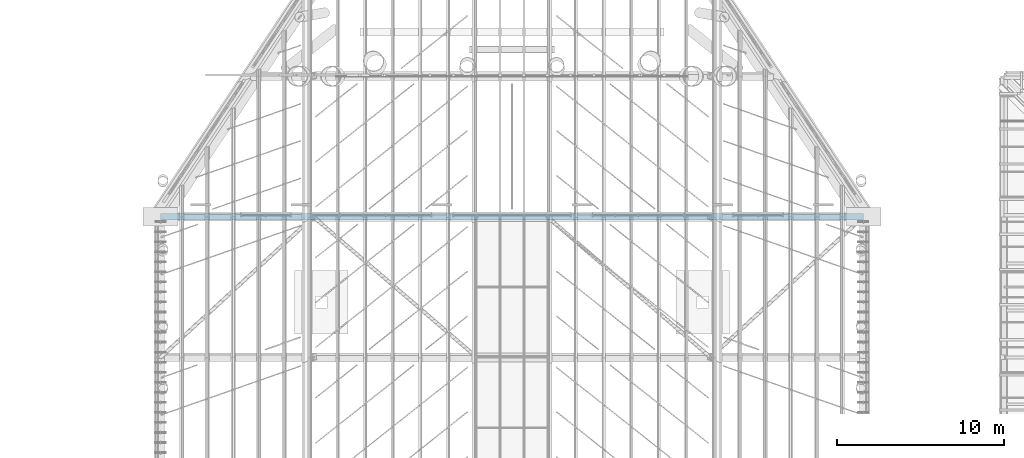
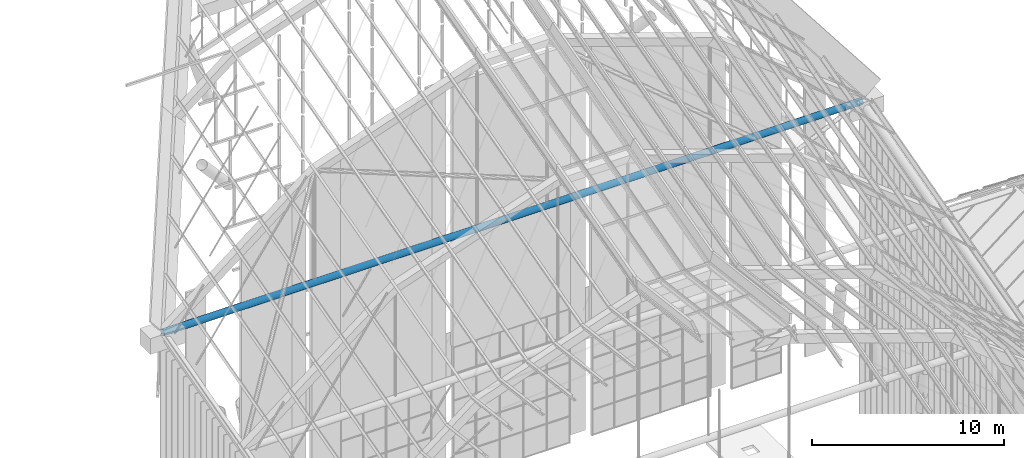
# One storey, part 58 of 126: 1 member.
"""IFC4 building model written with IfcOpenShell, lengths in metres."""

import ifcopenshell
import ifcopenshell.guid

model = None  # the IFC model being written
_history = None  # IfcOwnerHistory: only IFC2X3 demands one
_inside = {}  # id of a spatial element -> (the spatial element, [elements in it])
_under = {}  # id of a project, library or spatial element -> (it, [spatial elements below it])
_declared = {}  # id of a project -> (the project, [libraries it declares])
_typed = {}  # id of a type object -> (the type object, [elements of that type])
_made_of = {}  # id of a material, layer set ... -> (it, [elements and type objects made of it])


def new_model(schema):
    """Start an empty IFC model of exactly this schema.

    Asked for "IFC4X3", IfcOpenShell would pick the latest addendum, in which some entities
    have other attributes; the version numbers below select the first issue.
    IFC2X3 requires an IfcOwnerHistory on every rooted entity: one is made here for all.
    """
    global model, _history
    if schema == "IFC4X3":
        model = ifcopenshell.file(schema_version=(4, 3, 0, 0))
    else:
        model = ifcopenshell.file(schema=schema)
    _inside.clear()
    _under.clear()
    _declared.clear()
    _typed.clear()
    _made_of.clear()
    _history = None
    if model.schema == "IFC2X3":
        org = make("IfcOrganization", Name="unknown")
        user = make(
            "IfcPersonAndOrganization",
            ThePerson=make("IfcPerson", FamilyName="unknown"),
            TheOrganization=org,
        )
        app = make(
            "IfcApplication",
            ApplicationDeveloper=org,
            Version="unknown",
            ApplicationFullName="unknown",
            ApplicationIdentifier="unknown",
        )
        _history = make(
            "IfcOwnerHistory",
            OwningUser=user,
            OwningApplication=app,
            ChangeAction="ADDED",
            CreationDate=0,
        )
    return model


def make(cls, **values):
    """One entity of the class cls with the attributes given. An attribute that is None is left unset."""
    return model.create_entity(
        cls, **{name: value for name, value in values.items() if value is not None}
    )


def rooted(cls, **values):
    """An entity with a GlobalId (a new one), such as an element, a storey or a relation."""
    return make(cls, GlobalId=ifcopenshell.guid.new(), OwnerHistory=_history, **values)


def si_unit(unit_type, name, prefix=None):
    """IfcSIUnit, for example si_unit("LENGTHUNIT", "METRE", prefix="MILLI")."""
    return make("IfcSIUnit", UnitType=unit_type, Prefix=prefix, Name=name)


def assignment(units):
    """IfcUnitAssignment: the units of a project."""
    return None if units is None else make("IfcUnitAssignment", Units=units)


def point(xyz):
    """IfcCartesianPoint."""
    return None if xyz is None else make("IfcCartesianPoint", Coordinates=xyz)


def direction(xyz):
    """IfcDirection."""
    return None if xyz is None else make("IfcDirection", DirectionRatios=xyz)


def frame(location, z_axis=None, x_axis=None):
    """IfcAxis2Placement3D, a coordinate frame: its origin and axes. An axis left out is left unset."""
    return make(
        "IfcAxis2Placement3D",
        Location=point(location),
        Axis=direction(z_axis),
        RefDirection=direction(x_axis),
    )


def frame_2d(location, x_axis=None):
    """IfcAxis2Placement2D, a coordinate frame in the plane: its origin and x axis."""
    return make(
        "IfcAxis2Placement2D", Location=point(location), RefDirection=direction(x_axis)
    )


def origin():
    """The frame at (0, 0, 0) with its axes left unset."""
    return frame((0.0, 0.0, 0.0))


def origin_2d():
    """The frame at (0, 0) in the plane with its x axis left unset."""
    return frame_2d((0.0, 0.0))


def place(relative_to, where):
    """IfcLocalPlacement: puts the frame where relative to a parent placement (None: the world)."""
    return make(
        "IfcLocalPlacement", PlacementRelTo=relative_to, RelativePlacement=where
    )


def context(
    kind, dimensions, precision=None, world=None, true_north=None, identifier=None
):
    """IfcGeometricRepresentationContext, for example the 3D "Model" context."""
    return make(
        "IfcGeometricRepresentationContext",
        ContextIdentifier=identifier,
        ContextType=kind,
        CoordinateSpaceDimension=dimensions,
        Precision=precision,
        WorldCoordinateSystem=world,
        TrueNorth=true_north,
    )


def subcontext(parent, identifier, kind, view, scale=None):
    """IfcGeometricRepresentationSubContext, for example "Body" below "Model"."""
    return make(
        "IfcGeometricRepresentationSubContext",
        ContextIdentifier=identifier,
        ContextType=kind,
        ParentContext=parent,
        TargetScale=scale,
        TargetView=view,
    )


def project(units=None, contexts=None):
    """IfcProject with its units and contexts."""
    return rooted(
        "IfcProject",
        Name="project",
        RepresentationContexts=contexts,
        UnitsInContext=assignment(units),
    )


def spatial(cls, under=None, at=None, **own):
    """A site, building, storey or space (cls), placed at a placement, below another one or the project."""
    s = rooted(cls, ObjectPlacement=at, **own)
    if under is not None:
        _under.setdefault(under.id(), (under, []))[1].append(s)
    return s


def profile(cls, at=None, kind="AREA", **sizes):
    """A parametric profile (cls). Its sizes go by their IFC names, for example OverallWidth=200.0."""
    return make(cls, ProfileType=kind, Position=at, **sizes)


def hollow_circle(**sizes):
    """IfcCircleHollowProfileDef."""
    return profile("IfcCircleHollowProfileDef", **sizes)


def extrude(swept, where, along, depth):
    """IfcExtrudedAreaSolid: the profile swept, set in the frame where, extruded along a direction by depth."""
    return make(
        "IfcExtrudedAreaSolid",
        SweptArea=swept,
        Position=where,
        ExtrudedDirection=direction(along),
        Depth=depth,
    )


def shape(context_of_items, identifier, shape_type, items):
    """IfcShapeRepresentation: the items that make up one representation, for example the "Body"."""
    return make(
        "IfcShapeRepresentation",
        ContextOfItems=context_of_items,
        RepresentationIdentifier=identifier,
        RepresentationType=shape_type,
        Items=items,
    )


def material(Name=None, Category=None):
    """IfcMaterial."""
    return make("IfcMaterial", Name=Name, Category=Category)


def material_profile(
    of_material, cross_section, Name=None, Category=None, Priority=None
):
    """IfcMaterialProfile: a cross section and its material."""
    return make(
        "IfcMaterialProfile",
        Name=Name,
        Material=of_material,
        Profile=cross_section,
        Priority=Priority,
        Category=Category,
    )


def profile_set(profiles, Name=None, composite=None):
    """IfcMaterialProfileSet."""
    return make(
        "IfcMaterialProfileSet",
        Name=Name,
        MaterialProfiles=profiles,
        CompositeProfile=composite,
    )


def made_of(thing, what):
    """Note that an element or type object is made of a material, layer set ...; save() writes the relation."""
    if what is not None:
        _made_of.setdefault(what.id(), (what, []))[1].append(thing)
    return thing


def type_object(cls, material=None, **own):
    """A type object (cls), such as IfcWallType, which elements share."""
    return made_of(rooted(cls, **own), material)


def element(
    cls,
    number,
    at=None,
    inside=None,
    cuts=None,
    type_object=None,
    material=None,
    context=None,
    identifier="Body",
    shape_type=None,
    held_by="IfcProductDefinitionShape",
    body=None,
    shapes=None,
    **own,
):
    """One element of the class cls, such as IfcWall. Its Tag is "e" and its number.

    at: its placement. inside: the storey or other place that contains it. cuts: it is an
    opening in that element (IfcRelVoidsElement). A single representation is given by context,
    identifier, shape_type and body (its items); several are given by shapes. held_by: the class
    of the entity that holds the representations. save() writes the other relations.
    """
    e = rooted(cls, Tag="e%d" % number, ObjectPlacement=at, **own)
    if body is not None:
        shapes = [shape(context, identifier, shape_type, body)]
    if shapes is not None:
        e.Representation = make(held_by, Representations=shapes)
    if inside is not None:
        _inside.setdefault(inside.id(), (inside, []))[1].append(e)
    if cuts is not None:
        rooted(
            "IfcRelVoidsElement", RelatingBuildingElement=cuts, RelatedOpeningElement=e
        )
    if type_object is not None:
        _typed.setdefault(type_object.id(), (type_object, []))[1].append(e)
    return made_of(e, material)


def aggregate(whole, parts):
    """IfcRelAggregates: a whole, such as a stair, and the parts it consists of."""
    return rooted("IfcRelAggregates", RelatingObject=whole, RelatedObjects=parts)


def save(model, path):
    """Write the relations noted so far, then the file.

    IfcRelAggregates (storeys below a building ...), IfcRelContainedInSpatialStructure (elements
    in a storey), IfcRelDefinesByType, IfcRelAssociatesMaterial and IfcRelDeclares: one each for
    every whole, place, type object, material and project.
    """
    for whole, parts in _under.values():
        aggregate(whole, parts)
    for where, things in _inside.values():
        rooted(
            "IfcRelContainedInSpatialStructure",
            RelatedElements=things,
            RelatingStructure=where,
        )
    for kind, things in _typed.values():
        rooted("IfcRelDefinesByType", RelatedObjects=things, RelatingType=kind)
    for what, things in _made_of.values():
        rooted("IfcRelAssociatesMaterial", RelatedObjects=things, RelatingMaterial=what)
    for by, libraries in _declared.values():
        rooted("IfcRelDeclares", RelatingContext=by, RelatedDefinitions=libraries)
    model.write(path)


model = new_model("IFC4")

# Units and contexts
model_context = context("Model", 3, precision=1e-05, world=origin(), true_north=direction((0.0, 1.0)))
body_context = subcontext(model_context, "Body", "Model", "MODEL_VIEW")
ifc_project = project(units=[si_unit("LENGTHUNIT", "METRE"), si_unit("AREAUNIT", "SQUARE_METRE"), si_unit("VOLUMEUNIT", "CUBIC_METRE"), si_unit("PLANEANGLEUNIT", "RADIAN"), si_unit("MASSUNIT", "GRAM", prefix="KILO")], contexts=[model_context])

# Site, building, storey
site_placement = place(None, origin())
site = spatial("IfcSite", under=ifc_project, at=site_placement, CompositionType="ELEMENT")
building_placement = place(site_placement, origin())
building = spatial("IfcBuilding", under=site, at=building_placement, Name="Sava Quay Ferry Terminal", CompositionType="ELEMENT")
storey_placement = place(building_placement, frame((0.0, 0.0, 15.0)))
storey = spatial("IfcBuildingStorey", under=building, at=storey_placement, Name="L03", CompositionType="ELEMENT", Elevation=15.0)

# Member
ifc_material = material(Name="Steel S355", Category="steel")
ifc_material_profile = material_profile(ifc_material, hollow_circle(Radius=0.203125, WallThickness=0.01611328125, at=origin_2d()), Name="CHS 406.4 x 16.0")
ifc_profile_set = profile_set([ifc_material_profile], Name="Steel S355")
member_type = type_object("IfcMemberType", Name="D arch tie CHS 406.4x16", PredefinedType="USERDEFINED", material=ifc_profile_set)
member_placement = place(storey_placement, frame((42.0, 100.800048828125, 15.625), z_axis=(1.0, 0.0, 0.0), x_axis=(0.0, 1.0, 0.0)))
element("IfcMember", 1, at=member_placement, inside=storey, type_object=member_type, Name="Departure hall arch tie R6", ObjectType="ARCH TIE", PredefinedType="USERDEFINED", context=body_context, shape_type="SweptSolid", body=[
    extrude(hollow_circle(Radius=0.203125, WallThickness=0.01611328125, at=origin_2d()), origin(), (0.0, 0.0, 1.0), 42.0),
])

save(model, "model.ifc")
